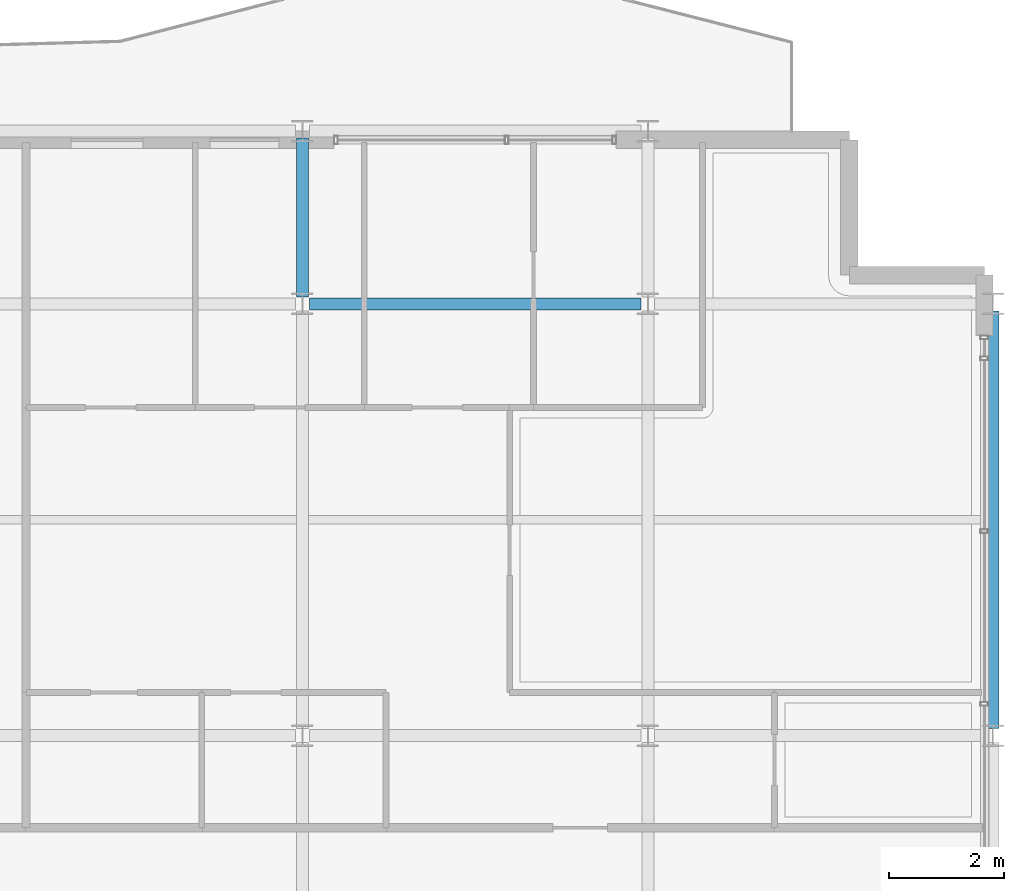
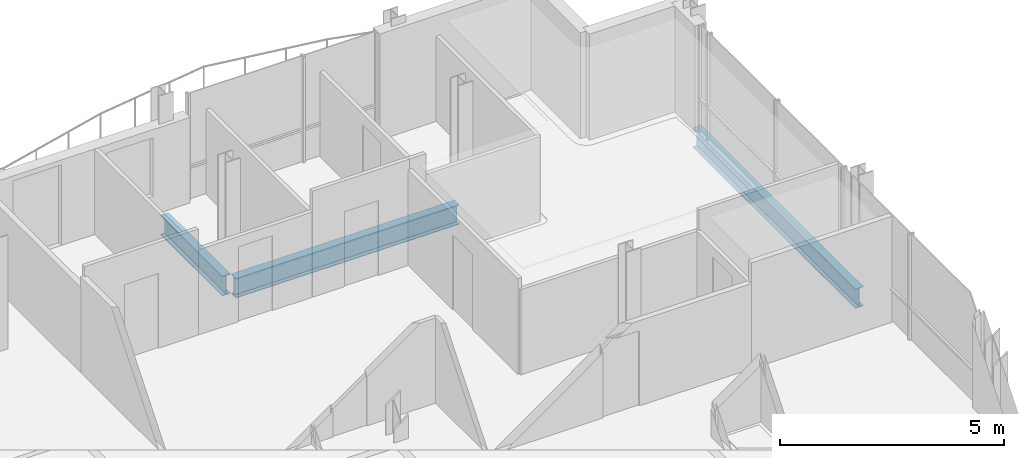
# One storey, part 14 of 29: 3 beams.
"""IFC4 building model written with IfcOpenShell, lengths in metres."""

from ifc_helpers import new_model, si_unit, direction, frame, origin, origin_2d, place, context, subcontext, project, spatial, i_section, extrude, material, material_profile, profile_set, type_object, element, save


model = new_model("IFC4")

# Units and contexts
model_context = context("Model", 3, precision=1e-05, world=origin(), true_north=direction((0.0, 1.0)))
body_context = subcontext(model_context, "Body", "Model", "MODEL_VIEW")
ifc_project = project(units=[si_unit("LENGTHUNIT", "METRE"), si_unit("AREAUNIT", "SQUARE_METRE"), si_unit("VOLUMEUNIT", "CUBIC_METRE"), si_unit("PLANEANGLEUNIT", "RADIAN"), si_unit("MASSUNIT", "GRAM", prefix="KILO")], contexts=[model_context])

# Site, building, storey
site_placement = place(None, origin())
site = spatial("IfcSite", under=ifc_project, at=site_placement, CompositionType="ELEMENT")
building_placement = place(site_placement, origin())
building = spatial("IfcBuilding", under=site, at=building_placement, Name="Brevholm Reach", CompositionType="ELEMENT")
storey_placement = place(building_placement, frame((0.0, 0.0, 208.0)))
storey = spatial("IfcBuildingStorey", under=building, at=storey_placement, Name="L63", CompositionType="ELEMENT", Elevation=208.0)

# Beams
ifc_material_1 = material(Name="Structural Steel S355J2", Category="steel")
ifc_material_profile_1 = material_profile(ifc_material_1, i_section(OverallWidth=0.209228515625, OverallDepth=0.533203125, WebThickness=0.010009765625, FlangeThickness=0.015625, FilletRadius=0.0126953125, at=origin_2d()), Name="UKB 533x210x92")
ifc_profile_set_1 = profile_set([ifc_material_profile_1], Name="Structural Steel S355J2")
beam_type_1 = type_object("IfcBeamType", Name="BM-SP533", PredefinedType="SPANDREL", material=ifc_profile_set_1)
beam_1_placement = place(storey_placement, frame((60.0, 16.1201171875, -0.4765625), z_axis=(0.0, 1.0, 0.0), x_axis=(-1.0, 0.0, 0.0)))
element("IfcBeam", 1, at=beam_1_placement, inside=storey, type_object=beam_type_1, Name="L63 SP-02 Framing Beam", PredefinedType="SPANDREL", context=body_context, shape_type="SweptSolid", body=[
    extrude(i_section(OverallWidth=0.209228515625, OverallDepth=0.533203125, WebThickness=0.010009765625, FlangeThickness=0.015625, FilletRadius=0.0126953125, at=origin_2d()), origin(), (0.0, 0.0, 1.0), 7.259765625),
])
ifc_material_2 = material(Name="Structural Steel S355J2", Category="steel")
ifc_material_profile_2 = material_profile(ifc_material_2, i_section(OverallWidth=0.210693359375, OverallDepth=0.53955078125, WebThickness=0.01171875, FlangeThickness=0.018798828125, FilletRadius=0.0126953125, at=origin_2d()), Name="UKB 533x210x109")
ifc_profile_set_2 = profile_set([ifc_material_profile_2], Name="Structural Steel S355J2")
beam_type_2 = type_object("IfcBeamType", Name="BM-SP539", PredefinedType="SPANDREL", material=ifc_profile_set_2)
beam_2_placement = place(storey_placement, frame((48.1201171875, 23.5, -0.479736328125), z_axis=(1.0, 0.0, 0.0), x_axis=(0.0, 1.0, 0.0)))
element("IfcBeam", 2, at=beam_2_placement, inside=storey, type_object=beam_type_2, Name="L63 SP-01B Framing Beam", PredefinedType="SPANDREL", context=body_context, shape_type="SweptSolid", body=[
    extrude(i_section(OverallWidth=0.210693359375, OverallDepth=0.53955078125, WebThickness=0.01171875, FlangeThickness=0.018798828125, FilletRadius=0.0126953125, at=origin_2d()), origin(), (0.0, 0.0, 1.0), 5.759765625),
])
beam_3_placement = place(storey_placement, frame((48.0, 23.6201171875, -0.479736328125), z_axis=(0.0, 1.0, 0.0), x_axis=(-1.0, 0.0, 0.0)))
element("IfcBeam", 3, at=beam_3_placement, inside=storey, type_object=beam_type_2, Name="L63 SP-01B Framing Beam", PredefinedType="SPANDREL", context=body_context, shape_type="SweptSolid", body=[
    extrude(i_section(OverallWidth=0.210693359375, OverallDepth=0.53955078125, WebThickness=0.01171875, FlangeThickness=0.018798828125, FilletRadius=0.0126953125, at=origin_2d()), origin(), (0.0, 0.0, 1.0), 2.759765625),
])

save(model, "model.ifc")
